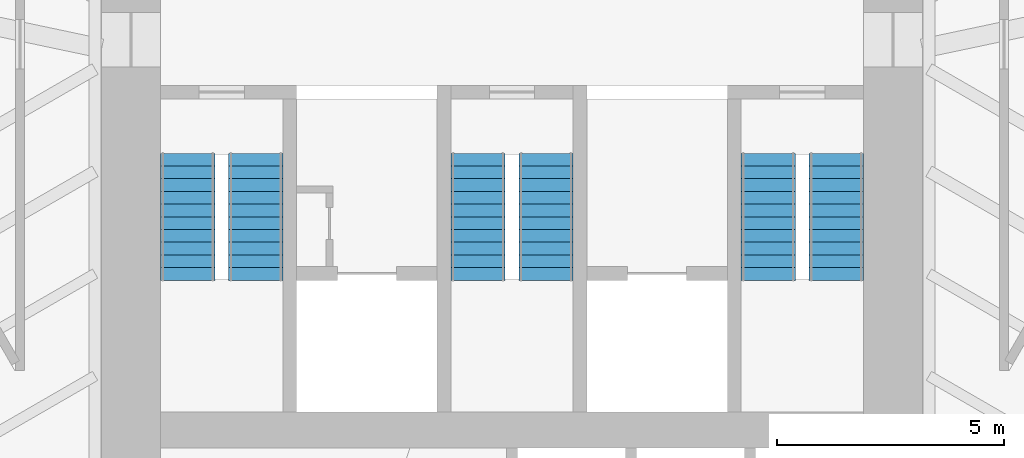
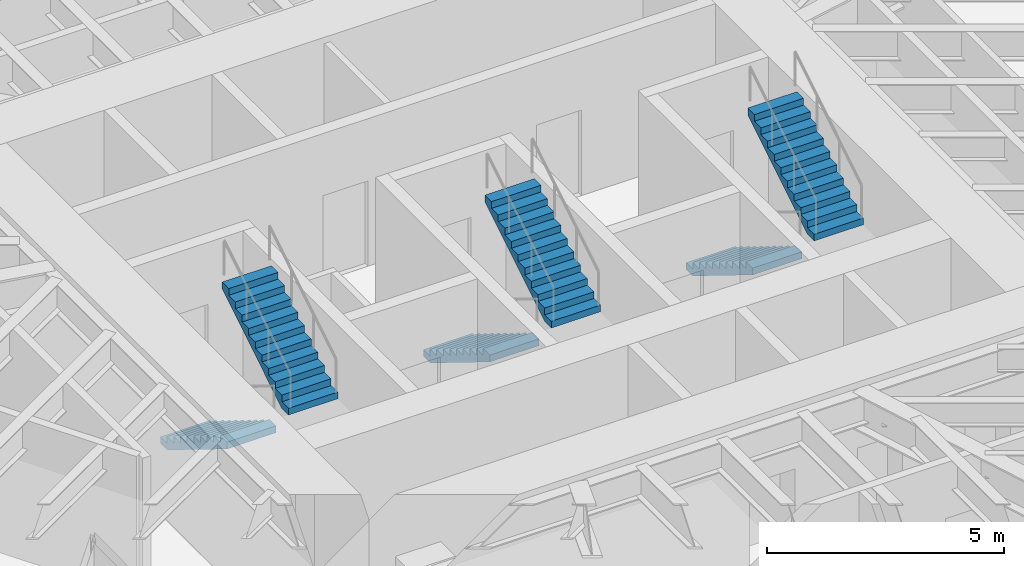
# One storey, part 16 of 17: 6 stair flights, 3 elements without a shape of their own.
"""IFC4 building model written with IfcOpenShell, lengths in metres."""

from ifc_helpers import new_model, si_unit, direction, frame, origin, place, context, subcontext, project, spatial, polyline, outline, extrude, material, type_object, element, aggregate, save


model = new_model("IFC4")

# Units and contexts
model_context = context("Model", 3, precision=1e-05, world=origin(), true_north=direction((0.0, 1.0)))
body_context = subcontext(model_context, "Body", "Model", "MODEL_VIEW")
ifc_project = project(units=[si_unit("LENGTHUNIT", "METRE"), si_unit("AREAUNIT", "SQUARE_METRE"), si_unit("VOLUMEUNIT", "CUBIC_METRE"), si_unit("PLANEANGLEUNIT", "RADIAN"), si_unit("MASSUNIT", "GRAM", prefix="KILO")], contexts=[model_context])

# Site, building, storey
site_placement = place(None, origin())
site = spatial("IfcSite", under=ifc_project, at=site_placement, CompositionType="ELEMENT")
building_placement = place(site_placement, origin())
building = spatial("IfcBuilding", under=site, at=building_placement, Name="Sandreach Pilgrim Tower", CompositionType="ELEMENT")
storey_placement = place(building_placement, frame((0.0, 0.0, 150.0)))
storey = spatial("IfcBuildingStorey", under=building, at=storey_placement, Name="L37", CompositionType="ELEMENT", Elevation=150.0)

# Stair, stair flights
ifc_material_1 = material(Name="Concrete 8000 psi", Category="concrete")
stair_type = type_object("IfcStairType", Name="Core exit stair", PredefinedType="HALF_TURN_STAIR", material=ifc_material_1)
stair_1_placement = place(storey_placement, origin())
stair_1 = element("IfcStair", 1, at=stair_1_placement, inside=storey, type_object=stair_type, Name="Exit stair ST1 L37", PredefinedType="HALF_TURN_STAIR")
ifc_material_2 = material(Name="Concrete 8000 psi", Category="concrete")
stair_flight_type = type_object("IfcStairFlightType", Name="Core stair flight 1200", PredefinedType="STRAIGHT", material=ifc_material_2)
stair_flight_1_placement = place(storey_placement, frame((-7.14990234375, -0.39990234375, 0.0), z_axis=(0.0, 0.0, 1.0), x_axis=(0.0, -1.0, 0.0)))
stair_flight_1 = element("IfcStairFlight", 2, at=stair_flight_1_placement, type_object=stair_flight_type, Name="ST1 flight 1", NumberOfRisers=11, NumberOfTreads=10, PredefinedType="STRAIGHT", RiserHeight=0.172727273, TreadLength=0.28, context=body_context, shape_type="SweptSolid", body=[
    extrude(outline(polyline([(0.0, 0.0), (0.0, 0.172607421875), (0.280029296875, 0.172607421875), (0.280029296875, 0.345458984375), (0.56005859375, 0.345458984375), (0.56005859375, 0.51806640625), (0.840087890625, 0.51806640625), (0.840087890625, 0.69091796875), (1.1201171875, 0.69091796875), (1.1201171875, 0.863525390625), (1.39990234375, 0.863525390625), (1.39990234375, 1.036376953125), (1.679931640625, 1.036376953125), (1.679931640625, 1.208984375), (1.9599609375, 1.208984375), (1.9599609375, 1.3818359375), (2.239990234375, 1.3818359375), (2.239990234375, 1.554443359375), (2.52001953125, 1.554443359375), (2.52001953125, 1.727294921875), (2.800048828125, 1.727294921875), (2.800048828125, 1.89990234375), (2.800048828125, 1.551025390625), (0.285400390625, 0.0), (0.0, 0.0)])), frame((0.0, 0.60009765625, 0.0), z_axis=(0.0, -1.0, 0.0), x_axis=(1.0, 0.0, 0.0)), (0.0, 0.0, 1.0), 1.199951171875),
])
stair_flight_2_placement = place(storey_placement, frame((-5.64990234375, -3.199951171875, 1.89990234375), z_axis=(0.0, 0.0, 1.0), x_axis=(0.0, 1.0, 0.0)))
stair_flight_2 = element("IfcStairFlight", 3, at=stair_flight_2_placement, type_object=stair_flight_type, Name="ST1 flight 2", NumberOfRisers=11, NumberOfTreads=10, PredefinedType="STRAIGHT", RiserHeight=0.172727273, TreadLength=0.28, context=body_context, shape_type="SweptSolid", body=[
    extrude(outline(polyline([(0.0, 0.0), (0.0, 0.172607421875), (0.280029296875, 0.172607421875), (0.280029296875, 0.345458984375), (0.56005859375, 0.345458984375), (0.56005859375, 0.51806640625), (0.840087890625, 0.51806640625), (0.840087890625, 0.69091796875), (1.1201171875, 0.69091796875), (1.1201171875, 0.863525390625), (1.39990234375, 0.863525390625), (1.39990234375, 1.036376953125), (1.679931640625, 1.036376953125), (1.679931640625, 1.208984375), (1.9599609375, 1.208984375), (1.9599609375, 1.3818359375), (2.239990234375, 1.3818359375), (2.239990234375, 1.554443359375), (2.52001953125, 1.554443359375), (2.52001953125, 1.727294921875), (2.800048828125, 1.727294921875), (2.800048828125, 1.89990234375), (2.800048828125, 1.551025390625), (0.285400390625, 0.0), (0.0, 0.0)])), frame((0.0, 0.60009765625, 0.0), z_axis=(0.0, -1.0, 0.0), x_axis=(1.0, 0.0, 0.0)), (0.0, 0.0, 1.0), 1.199951171875),
])
aggregate(stair_1, [stair_flight_1, stair_flight_2])

stair_2_placement = place(storey_placement, origin())
stair_2 = element("IfcStair", 4, at=stair_2_placement, inside=storey, type_object=stair_type, Name="Exit stair ST3 L37", PredefinedType="HALF_TURN_STAIR")
stair_flight_3_placement = place(storey_placement, frame((-0.75, -0.39990234375, 0.0), z_axis=(0.0, 0.0, 1.0), x_axis=(0.0, -1.0, 0.0)))
stair_flight_3 = element("IfcStairFlight", 5, at=stair_flight_3_placement, type_object=stair_flight_type, Name="ST3 flight 1", NumberOfRisers=11, NumberOfTreads=10, PredefinedType="STRAIGHT", RiserHeight=0.172727273, TreadLength=0.28, context=body_context, shape_type="SweptSolid", body=[
    extrude(outline(polyline([(0.0, 0.0), (0.0, 0.172607421875), (0.280029296875, 0.172607421875), (0.280029296875, 0.345458984375), (0.56005859375, 0.345458984375), (0.56005859375, 0.51806640625), (0.840087890625, 0.51806640625), (0.840087890625, 0.69091796875), (1.1201171875, 0.69091796875), (1.1201171875, 0.863525390625), (1.39990234375, 0.863525390625), (1.39990234375, 1.036376953125), (1.679931640625, 1.036376953125), (1.679931640625, 1.208984375), (1.9599609375, 1.208984375), (1.9599609375, 1.3818359375), (2.239990234375, 1.3818359375), (2.239990234375, 1.554443359375), (2.52001953125, 1.554443359375), (2.52001953125, 1.727294921875), (2.800048828125, 1.727294921875), (2.800048828125, 1.89990234375), (2.800048828125, 1.551025390625), (0.285400390625, 0.0), (0.0, 0.0)])), frame((0.0, 0.60009765625, 0.0), z_axis=(0.0, -1.0, 0.0), x_axis=(1.0, 0.0, 0.0)), (0.0, 0.0, 1.0), 1.199951171875),
])
stair_flight_4_placement = place(storey_placement, frame((0.75, -3.199951171875, 1.89990234375), z_axis=(0.0, 0.0, 1.0), x_axis=(0.0, 1.0, 0.0)))
stair_flight_4 = element("IfcStairFlight", 6, at=stair_flight_4_placement, type_object=stair_flight_type, Name="ST3 flight 2", NumberOfRisers=11, NumberOfTreads=10, PredefinedType="STRAIGHT", RiserHeight=0.172727273, TreadLength=0.28, context=body_context, shape_type="SweptSolid", body=[
    extrude(outline(polyline([(0.0, 0.0), (0.0, 0.172607421875), (0.280029296875, 0.172607421875), (0.280029296875, 0.345458984375), (0.56005859375, 0.345458984375), (0.56005859375, 0.51806640625), (0.840087890625, 0.51806640625), (0.840087890625, 0.69091796875), (1.1201171875, 0.69091796875), (1.1201171875, 0.863525390625), (1.39990234375, 0.863525390625), (1.39990234375, 1.036376953125), (1.679931640625, 1.036376953125), (1.679931640625, 1.208984375), (1.9599609375, 1.208984375), (1.9599609375, 1.3818359375), (2.239990234375, 1.3818359375), (2.239990234375, 1.554443359375), (2.52001953125, 1.554443359375), (2.52001953125, 1.727294921875), (2.800048828125, 1.727294921875), (2.800048828125, 1.89990234375), (2.800048828125, 1.551025390625), (0.285400390625, 0.0), (0.0, 0.0)])), frame((0.0, 0.60009765625, 0.0), z_axis=(0.0, -1.0, 0.0), x_axis=(1.0, 0.0, 0.0)), (0.0, 0.0, 1.0), 1.199951171875),
])
aggregate(stair_2, [stair_flight_3, stair_flight_4])

stair_3_placement = place(storey_placement, origin())
stair_3 = element("IfcStair", 7, at=stair_3_placement, inside=storey, type_object=stair_type, Name="Exit stair ST2 L37", PredefinedType="HALF_TURN_STAIR")
stair_flight_5_placement = place(storey_placement, frame((5.64990234375, -0.39990234375, 0.0), z_axis=(0.0, 0.0, 1.0), x_axis=(0.0, -1.0, 0.0)))
stair_flight_5 = element("IfcStairFlight", 8, at=stair_flight_5_placement, type_object=stair_flight_type, Name="ST2 flight 1", NumberOfRisers=11, NumberOfTreads=10, PredefinedType="STRAIGHT", RiserHeight=0.172727273, TreadLength=0.28, context=body_context, shape_type="SweptSolid", body=[
    extrude(outline(polyline([(0.0, 0.0), (0.0, 0.172607421875), (0.280029296875, 0.172607421875), (0.280029296875, 0.345458984375), (0.56005859375, 0.345458984375), (0.56005859375, 0.51806640625), (0.840087890625, 0.51806640625), (0.840087890625, 0.69091796875), (1.1201171875, 0.69091796875), (1.1201171875, 0.863525390625), (1.39990234375, 0.863525390625), (1.39990234375, 1.036376953125), (1.679931640625, 1.036376953125), (1.679931640625, 1.208984375), (1.9599609375, 1.208984375), (1.9599609375, 1.3818359375), (2.239990234375, 1.3818359375), (2.239990234375, 1.554443359375), (2.52001953125, 1.554443359375), (2.52001953125, 1.727294921875), (2.800048828125, 1.727294921875), (2.800048828125, 1.89990234375), (2.800048828125, 1.551025390625), (0.285400390625, 0.0), (0.0, 0.0)])), frame((0.0, 0.60009765625, 0.0), z_axis=(0.0, -1.0, 0.0), x_axis=(1.0, 0.0, 0.0)), (0.0, 0.0, 1.0), 1.199951171875),
])
stair_flight_6_placement = place(storey_placement, frame((7.14990234375, -3.199951171875, 1.89990234375), z_axis=(0.0, 0.0, 1.0), x_axis=(0.0, 1.0, 0.0)))
stair_flight_6 = element("IfcStairFlight", 9, at=stair_flight_6_placement, type_object=stair_flight_type, Name="ST2 flight 2", NumberOfRisers=11, NumberOfTreads=10, PredefinedType="STRAIGHT", RiserHeight=0.172727273, TreadLength=0.28, context=body_context, shape_type="SweptSolid", body=[
    extrude(outline(polyline([(0.0, 0.0), (0.0, 0.172607421875), (0.280029296875, 0.172607421875), (0.280029296875, 0.345458984375), (0.56005859375, 0.345458984375), (0.56005859375, 0.51806640625), (0.840087890625, 0.51806640625), (0.840087890625, 0.69091796875), (1.1201171875, 0.69091796875), (1.1201171875, 0.863525390625), (1.39990234375, 0.863525390625), (1.39990234375, 1.036376953125), (1.679931640625, 1.036376953125), (1.679931640625, 1.208984375), (1.9599609375, 1.208984375), (1.9599609375, 1.3818359375), (2.239990234375, 1.3818359375), (2.239990234375, 1.554443359375), (2.52001953125, 1.554443359375), (2.52001953125, 1.727294921875), (2.800048828125, 1.727294921875), (2.800048828125, 1.89990234375), (2.800048828125, 1.551025390625), (0.285400390625, 0.0), (0.0, 0.0)])), frame((0.0, 0.60009765625, 0.0), z_axis=(0.0, -1.0, 0.0), x_axis=(1.0, 0.0, 0.0)), (0.0, 0.0, 1.0), 1.199951171875),
])
aggregate(stair_3, [stair_flight_5, stair_flight_6])

save(model, "model.ifc")
